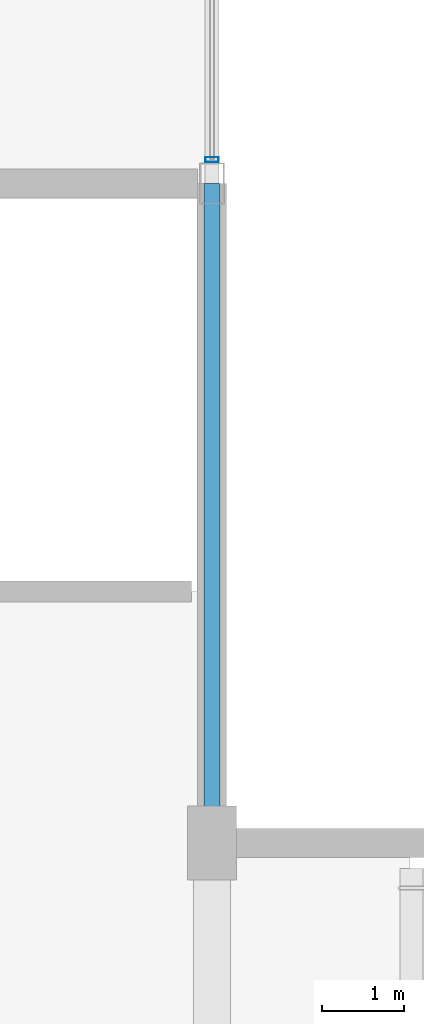
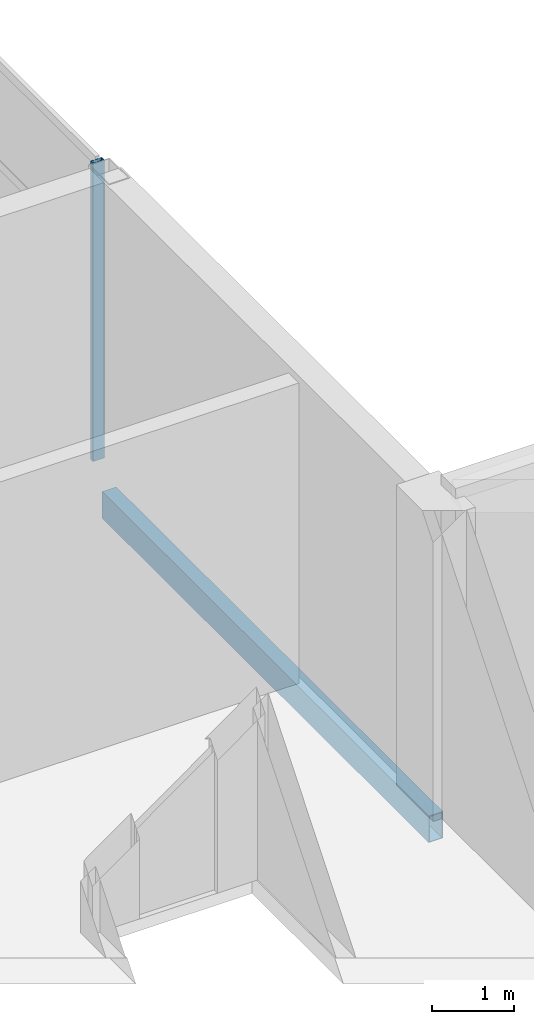
# One storey, part 27 of 86: 1 beam, 1 member, 1 element without a shape of its own.
"""IFC4 building model written with IfcOpenShell, lengths in metres."""

from ifc_helpers import new_model, si_unit, direction, frame, origin, origin_2d, place, context, subcontext, project, spatial, hollow_rectangle, extrude, material, material_profile, profile_set, type_object, element, aggregate, save


model = new_model("IFC4")

# Units and contexts
model_context = context("Model", 3, precision=1e-05, world=origin(), true_north=direction((0.0, 1.0)))
body_context = subcontext(model_context, "Body", "Model", "MODEL_VIEW")
ifc_project = project(units=[si_unit("LENGTHUNIT", "METRE"), si_unit("AREAUNIT", "SQUARE_METRE"), si_unit("VOLUMEUNIT", "CUBIC_METRE"), si_unit("PLANEANGLEUNIT", "RADIAN"), si_unit("MASSUNIT", "GRAM", prefix="KILO")], contexts=[model_context])

# Site, building, storey
site_placement = place(None, origin())
site = spatial("IfcSite", under=ifc_project, at=site_placement, CompositionType="ELEMENT")
building_placement = place(site_placement, origin())
building = spatial("IfcBuilding", under=site, at=building_placement, Name="Solvikara Media Centre", CompositionType="ELEMENT")
storey_placement = place(building_placement, frame((0.0, 0.0, 15.0)))
storey = spatial("IfcBuildingStorey", under=building, at=storey_placement, Name="L03", CompositionType="ELEMENT", Elevation=15.0)

# Beam
ifc_material_1 = material(Name="Steel S355JR", Category="steel")
ifc_material_profile_1 = material_profile(ifc_material_1, hollow_rectangle(XDim=0.199951171875, YDim=0.39990234375, WallThickness=0.011962890625, at=origin_2d()), Name="RHS 400x200x12")
ifc_profile_set_1 = profile_set([ifc_material_profile_1], Name="Steel S355JR")
beam_type = type_object("IfcBeamType", Name="BM-33", PredefinedType="SPANDREL", material=ifc_profile_set_1)
beam_placement = place(storey_placement, frame((34.0, 36.800048828125, -0.4619140625), z_axis=(0.0, 1.0, 0.0), x_axis=(-1.0, 0.0, 0.0)))
element("IfcBeam", 1, at=beam_placement, inside=storey, type_object=beam_type, Name="B-L03-Y1257", PredefinedType="SPANDREL", context=body_context, shape_type="SweptSolid", body=[
    extrude(hollow_rectangle(XDim=0.199951171875, YDim=0.39990234375, WallThickness=0.011962890625, at=origin_2d()), origin(), (0.0, 0.0, 1.0), 8.0),
])

# Curtain wall, member
ifc_material_2 = material(Name="Anodised aluminium EN AW-6063", Category="aluminium")
curtain_wall_type = type_object("IfcCurtainWallType", Name="CW-07", PredefinedType="NOTDEFINED", material=ifc_material_2)
curtain_wall_placement = place(storey_placement, origin())
curtain_wall = element("IfcCurtainWall", 2, at=curtain_wall_placement, inside=storey, type_object=curtain_wall_type, Name="CW-L03-V4E-S1", PredefinedType="NOTDEFINED")
ifc_material_profile_2 = material_profile(ifc_material_2, hollow_rectangle(XDim=0.06005859375, YDim=0.159912109375, WallThickness=0.00341796875, at=origin_2d()), Name="ALU-M 60x160x3.5")
ifc_profile_set_2 = profile_set([ifc_material_profile_2], Name="Anodised aluminium EN AW-6063")
member_type = type_object("IfcMemberType", Name="MF-04", PredefinedType="MULLION", material=ifc_profile_set_2)
member_placement = place(storey_placement, frame((34.0, 45.090087890625, 0.02001953125), z_axis=(0.0, 0.0, 1.0), x_axis=(0.0, 1.0, 0.0)))
member = element("IfcMember", 3, at=member_placement, type_object=member_type, Name="CW-L03-V4E-S1-M00", PredefinedType="MULLION", context=body_context, shape_type="SweptSolid", body=[
    extrude(hollow_rectangle(XDim=0.06005859375, YDim=0.159912109375, WallThickness=0.00341796875, at=origin_2d()), origin(), (0.0, 0.0, 1.0), 4.4599609375),
])
aggregate(curtain_wall, [member])

save(model, "model.ifc")
